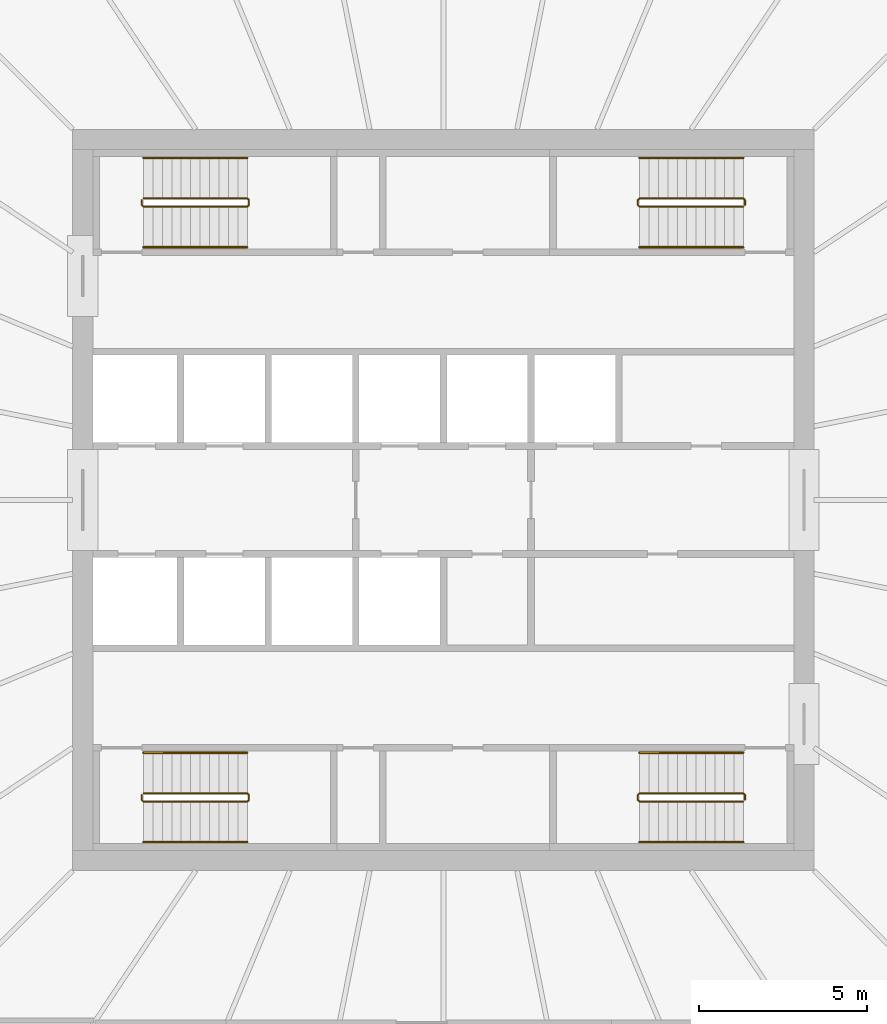
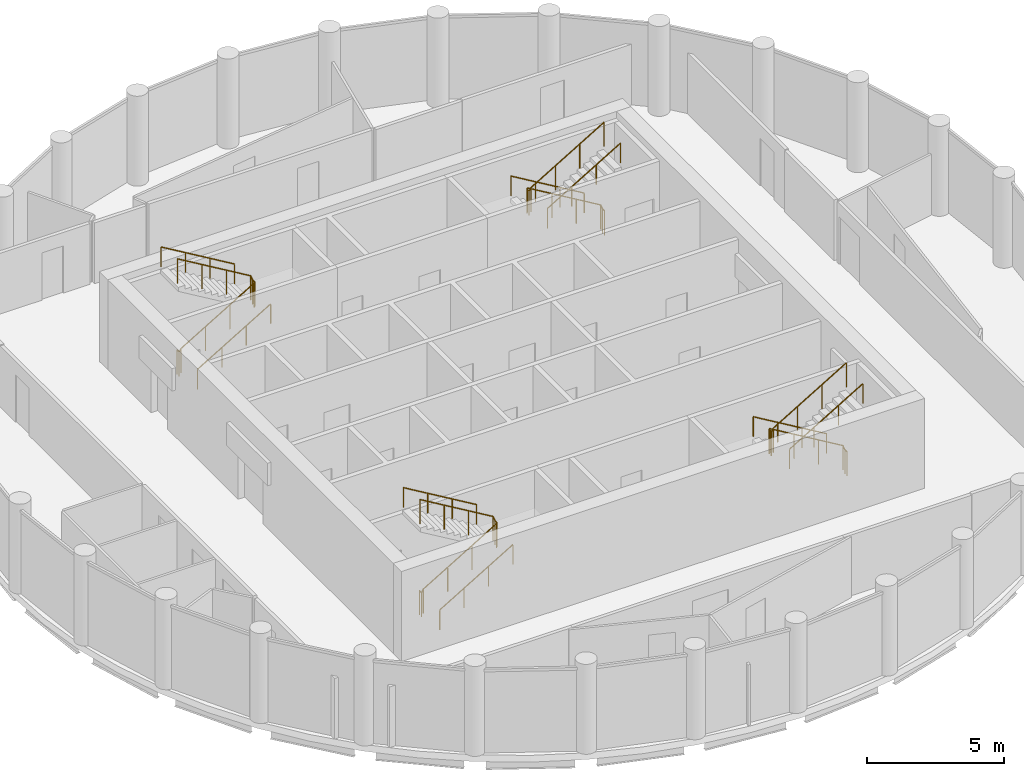
# One storey, part 7 of 7: 12 railings.
"""IFC4 building model written with IfcOpenShell, lengths in metres."""

from ifc_helpers import new_model, si_unit, direction, frame, origin, origin_2d, place, context, subcontext, project, spatial, circle, extrude, material, type_object, element, save


model = new_model("IFC4")

# Units and contexts
model_context = context("Model", 3, precision=1e-05, world=origin(), true_north=direction((0.0, 1.0)))
body_context = subcontext(model_context, "Body", "Model", "MODEL_VIEW")
ifc_project = project(units=[si_unit("LENGTHUNIT", "METRE"), si_unit("AREAUNIT", "SQUARE_METRE"), si_unit("VOLUMEUNIT", "CUBIC_METRE"), si_unit("PLANEANGLEUNIT", "RADIAN"), si_unit("MASSUNIT", "GRAM", prefix="KILO")], contexts=[model_context])

# Site, building, storey
site_placement = place(None, origin())
site = spatial("IfcSite", under=ifc_project, at=site_placement, CompositionType="ELEMENT")
building_placement = place(site_placement, origin())
building = spatial("IfcBuilding", under=site, at=building_placement, Name="Corvane Civic Tower", CompositionType="ELEMENT")
storey_placement = place(building_placement, frame((0.0, 0.0, 348.5)))
storey = spatial("IfcBuildingStorey", under=building, at=storey_placement, Name="L83", CompositionType="ELEMENT", Elevation=348.5)

# Railings
ifc_material_1 = material(Name="Steel ASTM A572 Gr 50", Category="steel")
railing_type_1 = type_object("IfcRailingType", Name="ST-GUARD-1100", PredefinedType="GUARDRAIL", material=ifc_material_1)
railing_1_placement = place(storey_placement, frame((8.949951171875, 8.75, 0.0)))
element("IfcRailing", 1, at=railing_1_placement, inside=storey, type_object=railing_type_1, Name="L83 ST1 stair guard 1", PredefinedType="GUARDRAIL", context=body_context, shape_type="SweptSolid", body=[
    extrude(circle(Radius=0.02392578125, at=origin_2d()), frame((0.0, 0.0, 1.076171875), z_axis=(0.0, 1.0, 0.0), x_axis=(-1.0, 0.0, 0.0)), (0.0, 0.0, 1.0), 0.14990234375),
    extrude(circle(Radius=0.02392578125, at=origin_2d()), frame((0.0, 0.14990234375, 1.076171875), z_axis=(-0.27628659633, 0.27628659633, 0.920506074601), x_axis=(-0.707106781187, -0.707106781187, 0.0)), (0.0, 0.0, 1.0), 0.18115234375),
    extrude(circle(Radius=0.02392578125, at=origin_2d()), frame((-0.050048828125, 0.199951171875, 1.24267578125), z_axis=(-0.859290745958, 0.0, 0.51148745235), x_axis=(0.0, -1.0, 0.0)), (0.0, 0.0, 1.0), 3.584228515625),
    extrude(circle(Radius=0.02392578125, at=origin_2d()), frame((-3.1298828125, 0.199951171875, 3.076171875), z_axis=(-0.707106781187, -0.707106781187, 0.0), x_axis=(0.707106781187, -0.707106781187, 0.0)), (0.0, 0.0, 1.0), 0.07080078125),
    extrude(circle(Radius=0.02392578125, at=origin_2d()), frame((-3.179931640625, 0.14990234375, 3.076171875), z_axis=(0.0, -1.0, 0.0), x_axis=(1.0, 0.0, 0.0)), (0.0, 0.0, 1.0), 0.14990234375),
    extrude(circle(Radius=0.02392578125, at=origin_2d()), frame((-3.179931640625, 0.0, 3.076171875), z_axis=(0.27628659633, -0.27628659633, 0.920506074601), x_axis=(0.707106781187, 0.707106781187, 0.0)), (0.0, 0.0, 1.0), 0.18115234375),
    extrude(circle(Radius=0.02392578125, at=origin_2d()), frame((-3.1298828125, -0.050048828125, 3.24267578125), z_axis=(0.859290745958, 0.0, 0.51148745235), x_axis=(0.0, 1.0, 0.0)), (0.0, 0.0, 1.0), 3.584228515625),
    extrude(circle(Radius=0.02099609375, at=origin_2d()), origin(), (0.0, 0.0, 1.0), 1.052001953125),
    extrude(circle(Radius=0.02099609375, at=origin_2d()), frame((0.0, 0.14990234375, 0.0)), (0.0, 0.0, 1.0), 1.052001953125),
    extrude(circle(Radius=0.02099609375, at=origin_2d()), frame((-0.050048828125, 0.199951171875, 0.166748046875)), (0.0, 0.0, 1.0), 1.052001953125),
    extrude(circle(Radius=0.02099609375, at=origin_2d()), frame((-1.07666015625, 0.199951171875, 0.77783203125)), (0.0, 0.0, 1.0), 1.052001953125),
    extrude(circle(Radius=0.02099609375, at=origin_2d()), frame((-2.103271484375, 0.199951171875, 1.388916015625)), (0.0, 0.0, 1.0), 1.052001953125),
    extrude(circle(Radius=0.02099609375, at=origin_2d()), frame((-3.1298828125, 0.199951171875, 2.0)), (0.0, 0.0, 1.0), 1.052001953125),
    extrude(circle(Radius=0.02099609375, at=origin_2d()), frame((-3.179931640625, 0.14990234375, 2.0)), (0.0, 0.0, 1.0), 1.052001953125),
    extrude(circle(Radius=0.02099609375, at=origin_2d()), frame((-3.179931640625, 0.0, 2.0)), (0.0, 0.0, 1.0), 1.052001953125),
    extrude(circle(Radius=0.02099609375, at=origin_2d()), frame((-3.1298828125, -0.050048828125, 2.166748046875)), (0.0, 0.0, 1.0), 1.052001953125),
    extrude(circle(Radius=0.02099609375, at=origin_2d()), frame((-2.103271484375, -0.050048828125, 2.77783203125)), (0.0, 0.0, 1.0), 1.052001953125),
    extrude(circle(Radius=0.02099609375, at=origin_2d()), frame((-1.07666015625, -0.050048828125, 3.388916015625)), (0.0, 0.0, 1.0), 1.052001953125),
    extrude(circle(Radius=0.02099609375, at=origin_2d()), frame((-0.050048828125, -0.050048828125, 4.0)), (0.0, 0.0, 1.0), 1.052001953125),
])
railing_2_placement = place(storey_placement, frame((8.949951171875, -8.89990234375, 0.0)))
element("IfcRailing", 2, at=railing_2_placement, inside=storey, type_object=railing_type_1, Name="L83 ST2 stair guard 1", PredefinedType="GUARDRAIL", context=body_context, shape_type="SweptSolid", body=[
    extrude(circle(Radius=0.02392578125, at=origin_2d()), frame((0.0, 0.0, 1.076171875), z_axis=(0.0, 1.0, 0.0), x_axis=(-1.0, 0.0, 0.0)), (0.0, 0.0, 1.0), 0.14990234375),
    extrude(circle(Radius=0.02392578125, at=origin_2d()), frame((0.0, 0.14990234375, 1.076171875), z_axis=(-0.27628659633, 0.27628659633, 0.920506074601), x_axis=(-0.707106781187, -0.707106781187, 0.0)), (0.0, 0.0, 1.0), 0.18115234375),
    extrude(circle(Radius=0.02392578125, at=origin_2d()), frame((-0.050048828125, 0.199951171875, 1.24267578125), z_axis=(-0.859290745958, 0.0, 0.51148745235), x_axis=(0.0, -1.0, 0.0)), (0.0, 0.0, 1.0), 3.584228515625),
    extrude(circle(Radius=0.02392578125, at=origin_2d()), frame((-3.1298828125, 0.199951171875, 3.076171875), z_axis=(-0.707106781187, -0.707106781187, 0.0), x_axis=(0.707106781187, -0.707106781187, 0.0)), (0.0, 0.0, 1.0), 0.07080078125),
    extrude(circle(Radius=0.02392578125, at=origin_2d()), frame((-3.179931640625, 0.14990234375, 3.076171875), z_axis=(0.0, -1.0, 0.0), x_axis=(1.0, 0.0, 0.0)), (0.0, 0.0, 1.0), 0.14990234375),
    extrude(circle(Radius=0.02392578125, at=origin_2d()), frame((-3.179931640625, 0.0, 3.076171875), z_axis=(0.27628659633, -0.27628659633, 0.920506074601), x_axis=(0.707106781187, 0.707106781187, 0.0)), (0.0, 0.0, 1.0), 0.18115234375),
    extrude(circle(Radius=0.02392578125, at=origin_2d()), frame((-3.1298828125, -0.050048828125, 3.24267578125), z_axis=(0.859290745958, 0.0, 0.51148745235), x_axis=(0.0, 1.0, 0.0)), (0.0, 0.0, 1.0), 3.584228515625),
    extrude(circle(Radius=0.02099609375, at=origin_2d()), origin(), (0.0, 0.0, 1.0), 1.052001953125),
    extrude(circle(Radius=0.02099609375, at=origin_2d()), frame((0.0, 0.14990234375, 0.0)), (0.0, 0.0, 1.0), 1.052001953125),
    extrude(circle(Radius=0.02099609375, at=origin_2d()), frame((-0.050048828125, 0.199951171875, 0.166748046875)), (0.0, 0.0, 1.0), 1.052001953125),
    extrude(circle(Radius=0.02099609375, at=origin_2d()), frame((-1.07666015625, 0.199951171875, 0.77783203125)), (0.0, 0.0, 1.0), 1.052001953125),
    extrude(circle(Radius=0.02099609375, at=origin_2d()), frame((-2.103271484375, 0.199951171875, 1.388916015625)), (0.0, 0.0, 1.0), 1.052001953125),
    extrude(circle(Radius=0.02099609375, at=origin_2d()), frame((-3.1298828125, 0.199951171875, 2.0)), (0.0, 0.0, 1.0), 1.052001953125),
    extrude(circle(Radius=0.02099609375, at=origin_2d()), frame((-3.179931640625, 0.14990234375, 2.0)), (0.0, 0.0, 1.0), 1.052001953125),
    extrude(circle(Radius=0.02099609375, at=origin_2d()), frame((-3.179931640625, 0.0, 2.0)), (0.0, 0.0, 1.0), 1.052001953125),
    extrude(circle(Radius=0.02099609375, at=origin_2d()), frame((-3.1298828125, -0.050048828125, 2.166748046875)), (0.0, 0.0, 1.0), 1.052001953125),
    extrude(circle(Radius=0.02099609375, at=origin_2d()), frame((-2.103271484375, -0.050048828125, 2.77783203125)), (0.0, 0.0, 1.0), 1.052001953125),
    extrude(circle(Radius=0.02099609375, at=origin_2d()), frame((-1.07666015625, -0.050048828125, 3.388916015625)), (0.0, 0.0, 1.0), 1.052001953125),
    extrude(circle(Radius=0.02099609375, at=origin_2d()), frame((-0.050048828125, -0.050048828125, 4.0)), (0.0, 0.0, 1.0), 1.052001953125),
])
railing_3_placement = place(storey_placement, frame((-8.949951171875, -8.75, 0.0)))
element("IfcRailing", 3, at=railing_3_placement, inside=storey, type_object=railing_type_1, Name="L83 ST3 stair guard 1", PredefinedType="GUARDRAIL", context=body_context, shape_type="SweptSolid", body=[
    extrude(circle(Radius=0.02392578125, at=origin_2d()), frame((0.0, 0.0, 1.076171875), z_axis=(0.0, -1.0, 0.0), x_axis=(1.0, 0.0, 0.0)), (0.0, 0.0, 1.0), 0.14990234375),
    extrude(circle(Radius=0.02392578125, at=origin_2d()), frame((0.0, -0.14990234375, 1.076171875), z_axis=(0.27628659633, -0.27628659633, 0.920506074601), x_axis=(0.707106781187, 0.707106781187, 0.0)), (0.0, 0.0, 1.0), 0.18115234375),
    extrude(circle(Radius=0.02392578125, at=origin_2d()), frame((0.050048828125, -0.199951171875, 1.24267578125), z_axis=(0.859290745958, 0.0, 0.51148745235), x_axis=(0.0, 1.0, 0.0)), (0.0, 0.0, 1.0), 3.584228515625),
    extrude(circle(Radius=0.02392578125, at=origin_2d()), frame((3.1298828125, -0.199951171875, 3.076171875), z_axis=(0.707106781187, 0.707106781187, 0.0), x_axis=(-0.707106781187, 0.707106781187, 0.0)), (0.0, 0.0, 1.0), 0.07080078125),
    extrude(circle(Radius=0.02392578125, at=origin_2d()), frame((3.179931640625, -0.14990234375, 3.076171875), z_axis=(0.0, 1.0, 0.0), x_axis=(-1.0, 0.0, 0.0)), (0.0, 0.0, 1.0), 0.14990234375),
    extrude(circle(Radius=0.02392578125, at=origin_2d()), frame((3.179931640625, 0.0, 3.076171875), z_axis=(-0.27628659633, 0.27628659633, 0.920506074601), x_axis=(-0.707106781187, -0.707106781187, 0.0)), (0.0, 0.0, 1.0), 0.18115234375),
    extrude(circle(Radius=0.02392578125, at=origin_2d()), frame((3.1298828125, 0.050048828125, 3.24267578125), z_axis=(-0.859290745958, 0.0, 0.51148745235), x_axis=(0.0, -1.0, 0.0)), (0.0, 0.0, 1.0), 3.584228515625),
    extrude(circle(Radius=0.02099609375, at=origin_2d()), origin(), (0.0, 0.0, 1.0), 1.052001953125),
    extrude(circle(Radius=0.02099609375, at=origin_2d()), frame((0.0, -0.14990234375, 0.0)), (0.0, 0.0, 1.0), 1.052001953125),
    extrude(circle(Radius=0.02099609375, at=origin_2d()), frame((0.050048828125, -0.199951171875, 0.166748046875)), (0.0, 0.0, 1.0), 1.052001953125),
    extrude(circle(Radius=0.02099609375, at=origin_2d()), frame((1.07666015625, -0.199951171875, 0.77783203125)), (0.0, 0.0, 1.0), 1.052001953125),
    extrude(circle(Radius=0.02099609375, at=origin_2d()), frame((2.103271484375, -0.199951171875, 1.388916015625)), (0.0, 0.0, 1.0), 1.052001953125),
    extrude(circle(Radius=0.02099609375, at=origin_2d()), frame((3.1298828125, -0.199951171875, 2.0)), (0.0, 0.0, 1.0), 1.052001953125),
    extrude(circle(Radius=0.02099609375, at=origin_2d()), frame((3.179931640625, -0.14990234375, 2.0)), (0.0, 0.0, 1.0), 1.052001953125),
    extrude(circle(Radius=0.02099609375, at=origin_2d()), frame((3.179931640625, 0.0, 2.0)), (0.0, 0.0, 1.0), 1.052001953125),
    extrude(circle(Radius=0.02099609375, at=origin_2d()), frame((3.1298828125, 0.050048828125, 2.166748046875)), (0.0, 0.0, 1.0), 1.052001953125),
    extrude(circle(Radius=0.02099609375, at=origin_2d()), frame((2.103271484375, 0.050048828125, 2.77783203125)), (0.0, 0.0, 1.0), 1.052001953125),
    extrude(circle(Radius=0.02099609375, at=origin_2d()), frame((1.07666015625, 0.050048828125, 3.388916015625)), (0.0, 0.0, 1.0), 1.052001953125),
    extrude(circle(Radius=0.02099609375, at=origin_2d()), frame((0.050048828125, 0.050048828125, 4.0)), (0.0, 0.0, 1.0), 1.052001953125),
])
railing_4_placement = place(storey_placement, frame((-8.949951171875, 8.89990234375, 0.0)))
element("IfcRailing", 4, at=railing_4_placement, inside=storey, type_object=railing_type_1, Name="L83 ST4 stair guard 1", PredefinedType="GUARDRAIL", context=body_context, shape_type="SweptSolid", body=[
    extrude(circle(Radius=0.02392578125, at=origin_2d()), frame((0.0, 0.0, 1.076171875), z_axis=(0.0, -1.0, 0.0), x_axis=(1.0, 0.0, 0.0)), (0.0, 0.0, 1.0), 0.14990234375),
    extrude(circle(Radius=0.02392578125, at=origin_2d()), frame((0.0, -0.14990234375, 1.076171875), z_axis=(0.27628659633, -0.27628659633, 0.920506074601), x_axis=(0.707106781187, 0.707106781187, 0.0)), (0.0, 0.0, 1.0), 0.18115234375),
    extrude(circle(Radius=0.02392578125, at=origin_2d()), frame((0.050048828125, -0.199951171875, 1.24267578125), z_axis=(0.859290745958, 0.0, 0.51148745235), x_axis=(0.0, 1.0, 0.0)), (0.0, 0.0, 1.0), 3.584228515625),
    extrude(circle(Radius=0.02392578125, at=origin_2d()), frame((3.1298828125, -0.199951171875, 3.076171875), z_axis=(0.707106781187, 0.707106781187, 0.0), x_axis=(-0.707106781187, 0.707106781187, 0.0)), (0.0, 0.0, 1.0), 0.07080078125),
    extrude(circle(Radius=0.02392578125, at=origin_2d()), frame((3.179931640625, -0.14990234375, 3.076171875), z_axis=(0.0, 1.0, 0.0), x_axis=(-1.0, 0.0, 0.0)), (0.0, 0.0, 1.0), 0.14990234375),
    extrude(circle(Radius=0.02392578125, at=origin_2d()), frame((3.179931640625, 0.0, 3.076171875), z_axis=(-0.27628659633, 0.27628659633, 0.920506074601), x_axis=(-0.707106781187, -0.707106781187, 0.0)), (0.0, 0.0, 1.0), 0.18115234375),
    extrude(circle(Radius=0.02392578125, at=origin_2d()), frame((3.1298828125, 0.050048828125, 3.24267578125), z_axis=(-0.859290745958, 0.0, 0.51148745235), x_axis=(0.0, -1.0, 0.0)), (0.0, 0.0, 1.0), 3.584228515625),
    extrude(circle(Radius=0.02099609375, at=origin_2d()), origin(), (0.0, 0.0, 1.0), 1.052001953125),
    extrude(circle(Radius=0.02099609375, at=origin_2d()), frame((0.0, -0.14990234375, 0.0)), (0.0, 0.0, 1.0), 1.052001953125),
    extrude(circle(Radius=0.02099609375, at=origin_2d()), frame((0.050048828125, -0.199951171875, 0.166748046875)), (0.0, 0.0, 1.0), 1.052001953125),
    extrude(circle(Radius=0.02099609375, at=origin_2d()), frame((1.07666015625, -0.199951171875, 0.77783203125)), (0.0, 0.0, 1.0), 1.052001953125),
    extrude(circle(Radius=0.02099609375, at=origin_2d()), frame((2.103271484375, -0.199951171875, 1.388916015625)), (0.0, 0.0, 1.0), 1.052001953125),
    extrude(circle(Radius=0.02099609375, at=origin_2d()), frame((3.1298828125, -0.199951171875, 2.0)), (0.0, 0.0, 1.0), 1.052001953125),
    extrude(circle(Radius=0.02099609375, at=origin_2d()), frame((3.179931640625, -0.14990234375, 2.0)), (0.0, 0.0, 1.0), 1.052001953125),
    extrude(circle(Radius=0.02099609375, at=origin_2d()), frame((3.179931640625, 0.0, 2.0)), (0.0, 0.0, 1.0), 1.052001953125),
    extrude(circle(Radius=0.02099609375, at=origin_2d()), frame((3.1298828125, 0.050048828125, 2.166748046875)), (0.0, 0.0, 1.0), 1.052001953125),
    extrude(circle(Radius=0.02099609375, at=origin_2d()), frame((2.103271484375, 0.050048828125, 2.77783203125)), (0.0, 0.0, 1.0), 1.052001953125),
    extrude(circle(Radius=0.02099609375, at=origin_2d()), frame((1.07666015625, 0.050048828125, 3.388916015625)), (0.0, 0.0, 1.0), 1.052001953125),
    extrude(circle(Radius=0.02099609375, at=origin_2d()), frame((0.050048828125, 0.050048828125, 4.0)), (0.0, 0.0, 1.0), 1.052001953125),
])
ifc_material_2 = material(Name="Steel ASTM A572 Gr 50", Category="steel")
railing_type_2 = type_object("IfcRailingType", Name="ST-HANDRAIL-900", PredefinedType="HANDRAIL", material=ifc_material_2)
railing_5_placement = place(storey_placement, frame((8.89990234375, 10.14990234375, 0.166748046875)))
element("IfcRailing", 5, at=railing_5_placement, inside=storey, type_object=railing_type_2, Name="L83 ST1 stair handrail 1", PredefinedType="HANDRAIL", context=body_context, shape_type="SweptSolid", body=[
    extrude(circle(Radius=0.02392578125, at=origin_2d()), frame((0.0, 0.0, 0.8759765625), z_axis=(-0.859290745958, 0.0, 0.51148745235), x_axis=(0.0, -1.0, 0.0)), (0.0, 0.0, 1.0), 3.584228515625),
    extrude(circle(Radius=0.02099609375, at=origin_2d()), origin(), (0.0, 0.0, 1.0), 0.851806640625),
    extrude(circle(Radius=0.02099609375, at=origin_2d()), frame((-1.026611328125, 0.0, 0.611083984375)), (0.0, 0.0, 1.0), 0.851806640625),
    extrude(circle(Radius=0.02099609375, at=origin_2d()), frame((-2.05322265625, 0.0, 1.22216796875)), (0.0, 0.0, 1.0), 0.851806640625),
    extrude(circle(Radius=0.02099609375, at=origin_2d()), frame((-3.079833984375, 0.0, 1.833251953125)), (0.0, 0.0, 1.0), 0.851806640625),
])
railing_6_placement = place(storey_placement, frame((5.820068359375, 7.5, 2.166748046875)))
element("IfcRailing", 6, at=railing_6_placement, inside=storey, type_object=railing_type_2, Name="L83 ST1 stair handrail 2", PredefinedType="HANDRAIL", context=body_context, shape_type="SweptSolid", body=[
    extrude(circle(Radius=0.02392578125, at=origin_2d()), frame((0.0, 0.0, 0.8759765625), z_axis=(0.859290745958, 0.0, 0.51148745235), x_axis=(0.0, 1.0, 0.0)), (0.0, 0.0, 1.0), 3.584228515625),
    extrude(circle(Radius=0.02099609375, at=origin_2d()), origin(), (0.0, 0.0, 1.0), 0.851806640625),
    extrude(circle(Radius=0.02099609375, at=origin_2d()), frame((1.026611328125, 0.0, 0.611083984375)), (0.0, 0.0, 1.0), 0.851806640625),
    extrude(circle(Radius=0.02099609375, at=origin_2d()), frame((2.05322265625, 0.0, 1.22216796875)), (0.0, 0.0, 1.0), 0.851806640625),
    extrude(circle(Radius=0.02099609375, at=origin_2d()), frame((3.079833984375, 0.0, 1.833251953125)), (0.0, 0.0, 1.0), 0.851806640625),
])
railing_7_placement = place(storey_placement, frame((8.89990234375, -7.5, 0.166748046875)))
element("IfcRailing", 7, at=railing_7_placement, inside=storey, type_object=railing_type_2, Name="L83 ST2 stair handrail 1", PredefinedType="HANDRAIL", context=body_context, shape_type="SweptSolid", body=[
    extrude(circle(Radius=0.02392578125, at=origin_2d()), frame((0.0, 0.0, 0.8759765625), z_axis=(-0.859290745958, 0.0, 0.51148745235), x_axis=(0.0, -1.0, 0.0)), (0.0, 0.0, 1.0), 3.584228515625),
    extrude(circle(Radius=0.02099609375, at=origin_2d()), origin(), (0.0, 0.0, 1.0), 0.851806640625),
    extrude(circle(Radius=0.02099609375, at=origin_2d()), frame((-1.026611328125, 0.0, 0.611083984375)), (0.0, 0.0, 1.0), 0.851806640625),
    extrude(circle(Radius=0.02099609375, at=origin_2d()), frame((-2.05322265625, 0.0, 1.22216796875)), (0.0, 0.0, 1.0), 0.851806640625),
    extrude(circle(Radius=0.02099609375, at=origin_2d()), frame((-3.079833984375, 0.0, 1.833251953125)), (0.0, 0.0, 1.0), 0.851806640625),
])
for number, where, name in (
    (8, (5.820068359375, -10.14990234375, 2.166748046875), "L83 ST2 stair handrail 2"),
    (9, (-8.89990234375, -10.14990234375, 0.166748046875), "L83 ST3 stair handrail 1"),
):
    element("IfcRailing", number, at=place(storey_placement, frame(where)), inside=storey, type_object=railing_type_2, Name=name, PredefinedType="HANDRAIL", context=body_context, shape_type="SweptSolid", body=[
        extrude(circle(Radius=0.02392578125, at=origin_2d()), frame((0.0, 0.0, 0.8759765625), z_axis=(0.859290745958, 0.0, 0.51148745235), x_axis=(0.0, 1.0, 0.0)), (0.0, 0.0, 1.0), 3.584228515625),
        extrude(circle(Radius=0.02099609375, at=origin_2d()), origin(), (0.0, 0.0, 1.0), 0.851806640625),
        extrude(circle(Radius=0.02099609375, at=origin_2d()), frame((1.026611328125, 0.0, 0.611083984375)), (0.0, 0.0, 1.0), 0.851806640625),
        extrude(circle(Radius=0.02099609375, at=origin_2d()), frame((2.05322265625, 0.0, 1.22216796875)), (0.0, 0.0, 1.0), 0.851806640625),
        extrude(circle(Radius=0.02099609375, at=origin_2d()), frame((3.079833984375, 0.0, 1.833251953125)), (0.0, 0.0, 1.0), 0.851806640625),
    ])
railing_8_placement = place(storey_placement, frame((-5.820068359375, -7.5, 2.166748046875)))
element("IfcRailing", 10, at=railing_8_placement, inside=storey, type_object=railing_type_2, Name="L83 ST3 stair handrail 2", PredefinedType="HANDRAIL", context=body_context, shape_type="SweptSolid", body=[
    extrude(circle(Radius=0.02392578125, at=origin_2d()), frame((0.0, 0.0, 0.8759765625), z_axis=(-0.859290745958, 0.0, 0.51148745235), x_axis=(0.0, -1.0, 0.0)), (0.0, 0.0, 1.0), 3.584228515625),
    extrude(circle(Radius=0.02099609375, at=origin_2d()), origin(), (0.0, 0.0, 1.0), 0.851806640625),
    extrude(circle(Radius=0.02099609375, at=origin_2d()), frame((-1.026611328125, 0.0, 0.611083984375)), (0.0, 0.0, 1.0), 0.851806640625),
    extrude(circle(Radius=0.02099609375, at=origin_2d()), frame((-2.05322265625, 0.0, 1.22216796875)), (0.0, 0.0, 1.0), 0.851806640625),
    extrude(circle(Radius=0.02099609375, at=origin_2d()), frame((-3.079833984375, 0.0, 1.833251953125)), (0.0, 0.0, 1.0), 0.851806640625),
])
railing_9_placement = place(storey_placement, frame((-8.89990234375, 7.5, 0.166748046875)))
element("IfcRailing", 11, at=railing_9_placement, inside=storey, type_object=railing_type_2, Name="L83 ST4 stair handrail 1", PredefinedType="HANDRAIL", context=body_context, shape_type="SweptSolid", body=[
    extrude(circle(Radius=0.02392578125, at=origin_2d()), frame((0.0, 0.0, 0.8759765625), z_axis=(0.859290745958, 0.0, 0.51148745235), x_axis=(0.0, 1.0, 0.0)), (0.0, 0.0, 1.0), 3.584228515625),
    extrude(circle(Radius=0.02099609375, at=origin_2d()), origin(), (0.0, 0.0, 1.0), 0.851806640625),
    extrude(circle(Radius=0.02099609375, at=origin_2d()), frame((1.026611328125, 0.0, 0.611083984375)), (0.0, 0.0, 1.0), 0.851806640625),
    extrude(circle(Radius=0.02099609375, at=origin_2d()), frame((2.05322265625, 0.0, 1.22216796875)), (0.0, 0.0, 1.0), 0.851806640625),
    extrude(circle(Radius=0.02099609375, at=origin_2d()), frame((3.079833984375, 0.0, 1.833251953125)), (0.0, 0.0, 1.0), 0.851806640625),
])
railing_10_placement = place(storey_placement, frame((-5.820068359375, 10.14990234375, 2.166748046875)))
element("IfcRailing", 12, at=railing_10_placement, inside=storey, type_object=railing_type_2, Name="L83 ST4 stair handrail 2", PredefinedType="HANDRAIL", context=body_context, shape_type="SweptSolid", body=[
    extrude(circle(Radius=0.02392578125, at=origin_2d()), frame((0.0, 0.0, 0.8759765625), z_axis=(-0.859290745958, 0.0, 0.51148745235), x_axis=(0.0, -1.0, 0.0)), (0.0, 0.0, 1.0), 3.584228515625),
    extrude(circle(Radius=0.02099609375, at=origin_2d()), origin(), (0.0, 0.0, 1.0), 0.851806640625),
    extrude(circle(Radius=0.02099609375, at=origin_2d()), frame((-1.026611328125, 0.0, 0.611083984375)), (0.0, 0.0, 1.0), 0.851806640625),
    extrude(circle(Radius=0.02099609375, at=origin_2d()), frame((-2.05322265625, 0.0, 1.22216796875)), (0.0, 0.0, 1.0), 0.851806640625),
    extrude(circle(Radius=0.02099609375, at=origin_2d()), frame((-3.079833984375, 0.0, 1.833251953125)), (0.0, 0.0, 1.0), 0.851806640625),
])

save(model, "model.ifc")
